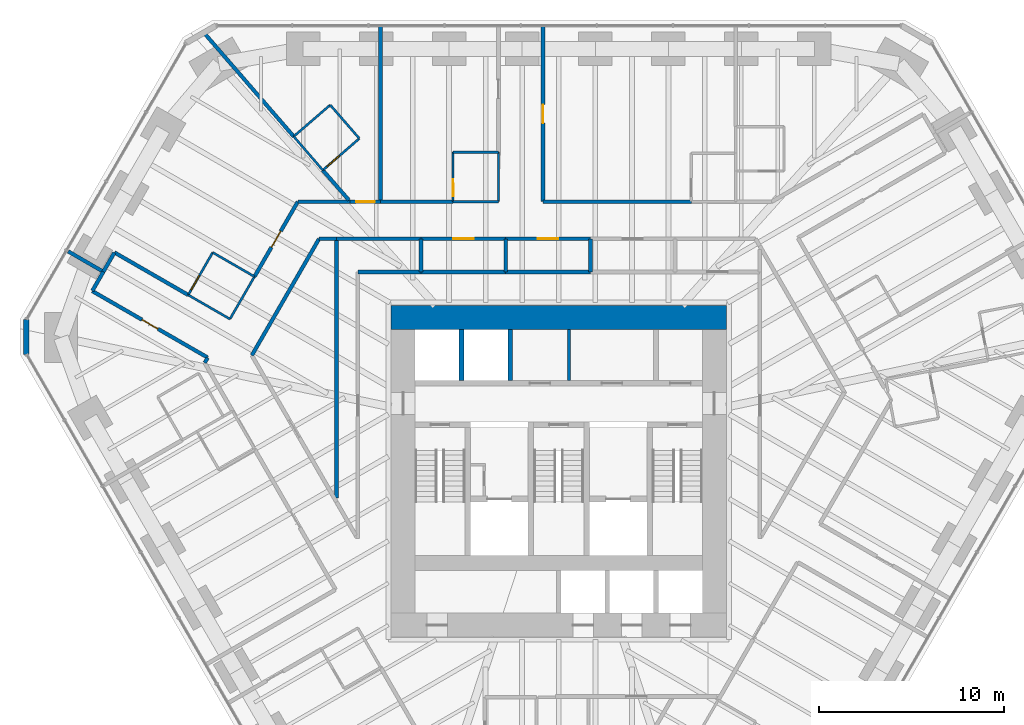
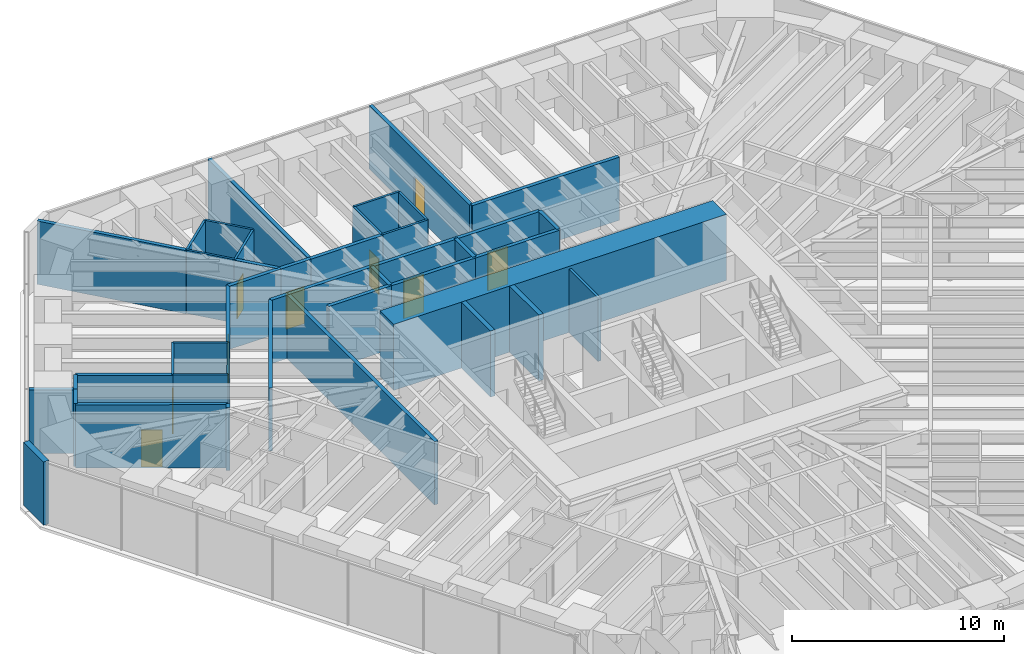
# One storey, part 14 of 17: 44 walls, 9 doors, 9 openings.
"""IFC4 building model written with IfcOpenShell, lengths in metres."""

from ifc_helpers import new_model, si_unit, direction, frame, frame_2d, origin, place, context, subcontext, project, spatial, rectangle, extrude, material, layer, layer_set, type_object, element, fill, save


model = new_model("IFC4")

# Units and contexts
model_context = context("Model", 3, precision=1e-05, world=origin(), true_north=direction((0.0, 1.0)))
body_context = subcontext(model_context, "Body", "Model", "MODEL_VIEW")
ifc_project = project(units=[si_unit("LENGTHUNIT", "METRE"), si_unit("AREAUNIT", "SQUARE_METRE"), si_unit("VOLUMEUNIT", "CUBIC_METRE"), si_unit("PLANEANGLEUNIT", "RADIAN"), si_unit("MASSUNIT", "GRAM", prefix="KILO")], contexts=[model_context])

# Site, building, storey
site_placement = place(None, origin())
site = spatial("IfcSite", under=ifc_project, at=site_placement, CompositionType="ELEMENT")
building_placement = place(site_placement, origin())
building = spatial("IfcBuilding", under=site, at=building_placement, Name="Sandreach Pilgrim Tower", CompositionType="ELEMENT")
storey_placement = place(building_placement, frame((0.0, 0.0, 138.60009765625)))
storey = spatial("IfcBuildingStorey", under=building, at=storey_placement, Name="L34", CompositionType="ELEMENT", Elevation=138.60009765625)

# Walls
ifc_material_1 = material(Name="Gypsum board on steel studs", Category="steel")
ifc_layer_1 = layer(ifc_material_1, 0.14990234375)
ifc_layer_set_1 = layer_set([ifc_layer_1], Name="Back of house wall 150")
wall_type_1 = type_object("IfcWallType", Name="Back of house wall 150", PredefinedType="PARTITIONING", material=ifc_layer_set_1)
wall_1_placement = place(storey_placement, frame((0.550048828125, 3.35009765625, 0.0), z_axis=(0.0, 0.0, 1.0), x_axis=(0.0, 1.0, 0.0)))
element("IfcWall", 1, at=wall_1_placement, inside=storey, type_object=wall_type_1, Name="Core room partition L34 1", PredefinedType="PARTITIONING", context=body_context, shape_type="SweptSolid", body=[
    extrude(rectangle(XDim=2.75, YDim=0.14990234375, at=frame_2d((1.375, 0.0))), origin(), (0.0, 0.0, 1.0), 3.639892578125),
])
ifc_material_2 = material(Name="Moisture-resistant gypsum board on steel studs", Category="steel")
ifc_layer_2 = layer(ifc_material_2, 0.1201171875)
ifc_layer_set_2 = layer_set([ifc_layer_2], Name="Bathroom partition 120")
wall_type_2 = type_object("IfcWallType", Name="Bathroom partition 120", PredefinedType="PARTITIONING", material=ifc_layer_set_2)
wall_2_placement = place(storey_placement, frame((-19.991455078125, 7.95751953125, 0.0), z_axis=(0.0, 0.0, 1.0), x_axis=(0.866404475641, -0.499342852747, 0.0)))
element("IfcWall", 2, at=wall_2_placement, inside=storey, type_object=wall_type_2, Name="Bathroom partition L34-009", PredefinedType="PARTITIONING", context=body_context, shape_type="SweptSolid", body=[
    extrude(rectangle(XDim=2.5986328125, YDim=0.1201171875, at=frame_2d((1.29931640625, 0.0))), origin(), (0.0, 0.0, 1.0), 3.639892578125),
])

# Wall, opening, door
wall_3_placement = place(storey_placement, frame((-18.669921875, 10.25, 0.0), z_axis=(0.0, 0.0, 1.0), x_axis=(-0.499407914056, -0.866366975004, 0.0)))
wall_3 = element("IfcWall", 3, at=wall_3_placement, inside=storey, type_object=wall_type_2, Name="Bathroom partition L34-016", PredefinedType="PARTITIONING", context=body_context, shape_type="SweptSolid", body=[
    extrude(rectangle(XDim=2.643310546875, YDim=0.1201171875, at=frame_2d((1.32177734375, 0.0))), origin(), (0.0, 0.0, 1.0), 3.639892578125),
])
opening_1_placement = place(wall_3_placement, frame((1.443115234375, 0.0, 0.0)))
opening_1 = element("IfcOpeningElement", 4, at=opening_1_placement, cuts=wall_3, Name="Opening D09-15B", PredefinedType="OPENING", context=body_context, shape_type="SweptSolid", body=[
    extrude(rectangle(XDim=0.89990234375, YDim=2.030029296875, at=frame_2d((0.449951171875, 1.01513671875))), frame((0.0, 0.06005859375, 0.0), z_axis=(0.0, -1.0, 0.0), x_axis=(1.0, 0.0, 0.0)), (0.0, 0.0, 1.0), 0.1201171875),
])
ifc_material_3 = material(Name="Timber door, steel frame", Category="steel")
door_type_1 = type_object("IfcDoorType", Name="Bathroom door", OperationType="SINGLE_SWING_LEFT", PredefinedType="DOOR", material=ifc_material_3)
door_1_placement = place(opening_1_placement, origin())
door_1 = element("IfcDoor", 5, at=door_1_placement, inside=storey, type_object=door_type_1, Name="Door 3415B", OperationType="SINGLE_SWING_RIGHT", OverallHeight=2.030029296875, OverallWidth=0.89990234375, PredefinedType="DOOR", context=body_context, shape_type="SweptSolid", body=[
    extrude(rectangle(XDim=0.89990234375, YDim=2.030029296875, at=frame_2d((0.449951171875, 1.01513671875))), frame((0.0, 0.02490234375, 0.0), z_axis=(0.0, -1.0, 0.0), x_axis=(1.0, 0.0, 0.0)), (0.0, 0.0, 1.0), 0.050048828125),
])
fill(opening_1, door_1)

# Walls
wall_4_placement = place(storey_placement, frame((-17.739990234375, 6.659912109375, 0.0), z_axis=(0.0, 0.0, 1.0), x_axis=(0.500519174073, 0.865725450929, 0.0)))
element("IfcWall", 6, at=wall_4_placement, inside=storey, type_object=wall_type_2, Name="Bathroom partition L34-021", PredefinedType="PARTITIONING", context=body_context, shape_type="SweptSolid", body=[
    extrude(rectangle(XDim=2.643310546875, YDim=0.1201171875, at=frame_2d((1.32177734375, 0.0))), origin(), (0.0, 0.0, 1.0), 3.639892578125),
])
wall_5_placement = place(storey_placement, frame((-16.419921875, 8.949951171875, 0.0), z_axis=(0.0, 0.0, 1.0), x_axis=(-0.865856933682, 0.500291685314, 0.0)))
element("IfcWall", 7, at=wall_5_placement, inside=storey, type_object=wall_type_2, Name="Bathroom partition L34-024", PredefinedType="PARTITIONING", context=body_context, shape_type="SweptSolid", body=[
    extrude(rectangle(XDim=2.5986328125, YDim=0.1201171875, at=frame_2d((1.29931640625, 0.0))), origin(), (0.0, 0.0, 1.0), 3.639892578125),
])
wall_6_placement = place(storey_placement, frame((-14.300048828125, 16.510009765625, 0.0), z_axis=(0.0, 0.0, 1.0), x_axis=(0.653188728136, -0.757195143563, 0.0)))
element("IfcWall", 8, at=wall_6_placement, inside=storey, type_object=wall_type_2, Name="Bathroom partition L34-027", PredefinedType="PARTITIONING", context=body_context, shape_type="SweptSolid", body=[
    extrude(rectangle(XDim=2.40380859375, YDim=0.1201171875, at=frame_2d((1.201904296875, 0.0))), origin(), (0.0, 0.0, 1.0), 3.639892578125),
])

# Wall, opening, door
wall_7_placement = place(storey_placement, frame((-12.72998046875, 14.68994140625, 0.0), z_axis=(0.0, 0.0, 1.0), x_axis=(0.755185511235, 0.655511131576, 0.0)))
wall_7 = element("IfcWall", 9, at=wall_7_placement, inside=storey, type_object=wall_type_2, Name="Bathroom partition L34-033", PredefinedType="PARTITIONING", context=body_context, shape_type="SweptSolid", body=[
    extrude(rectangle(XDim=2.608642578125, YDim=0.1201171875, at=frame_2d((1.30419921875, 0.0))), origin(), (0.0, 0.0, 1.0), 3.639892578125),
])
opening_2_placement = place(wall_7_placement, frame((0.300048828125, 0.0, 0.0)))
opening_2 = element("IfcOpeningElement", 10, at=opening_2_placement, cuts=wall_7, Name="Opening D09-01B", PredefinedType="OPENING", context=body_context, shape_type="SweptSolid", body=[
    extrude(rectangle(XDim=0.89990234375, YDim=2.030029296875, at=frame_2d((0.449951171875, 1.01513671875))), frame((0.0, 0.06005859375, 0.0), z_axis=(0.0, -1.0, 0.0), x_axis=(1.0, 0.0, 0.0)), (0.0, 0.0, 1.0), 0.1201171875),
])
door_2_placement = place(opening_2_placement, origin())
door_2 = element("IfcDoor", 11, at=door_2_placement, inside=storey, type_object=door_type_1, Name="Door 3401B", OperationType="SINGLE_SWING_LEFT", OverallHeight=2.030029296875, OverallWidth=0.89990234375, PredefinedType="DOOR", context=body_context, shape_type="SweptSolid", body=[
    extrude(rectangle(XDim=0.89990234375, YDim=2.030029296875, at=frame_2d((0.449951171875, 1.01513671875))), frame((0.0, 0.02490234375, 0.0), z_axis=(0.0, -1.0, 0.0), x_axis=(1.0, 0.0, 0.0)), (0.0, 0.0, 1.0), 0.050048828125),
])
fill(opening_2, door_2)

# Walls
wall_8_placement = place(storey_placement, frame((-12.330078125, 18.2099609375, 0.0), z_axis=(0.0, 0.0, 1.0), x_axis=(-0.757086659925, -0.653314464377, 0.0)))
element("IfcWall", 12, at=wall_8_placement, inside=storey, type_object=wall_type_2, Name="Bathroom partition L34-034", PredefinedType="PARTITIONING", context=body_context, shape_type="SweptSolid", body=[
    extrude(rectangle(XDim=2.60205078125, YDim=0.1201171875, at=frame_2d((1.301025390625, 0.0))), origin(), (0.0, 0.0, 1.0), 3.639892578125),
])
wall_9_placement = place(storey_placement, frame((-10.760009765625, 16.39990234375, 0.0), z_axis=(0.0, 0.0, 1.0), x_axis=(-0.655252439976, 0.755409981338, 0.0)))
element("IfcWall", 13, at=wall_9_placement, inside=storey, type_object=wall_type_2, Name="Bathroom partition L34-044", PredefinedType="PARTITIONING", context=body_context, shape_type="SweptSolid", body=[
    extrude(rectangle(XDim=2.396240234375, YDim=0.1201171875, at=frame_2d((1.1982421875, 0.0))), origin(), (0.0, 0.0, 1.0), 3.639892578125),
])

# Wall, opening, door
wall_10_placement = place(storey_placement, frame((-5.7099609375, 15.659912109375, 0.0), z_axis=(0.0, 0.0, 1.0), x_axis=(0.003749059241, -0.999992972253, 0.0)))
wall_10 = element("IfcWall", 14, at=wall_10_placement, inside=storey, type_object=wall_type_2, Name="Bathroom partition L34-059", PredefinedType="PARTITIONING", context=body_context, shape_type="SweptSolid", body=[
    extrude(rectangle(XDim=2.669921875, YDim=0.1201171875, at=frame_2d((1.3349609375, 0.0))), origin(), (0.0, 0.0, 1.0), 3.639892578125),
])
opening_3_placement = place(wall_10_placement, frame((1.469970703125, 0.0, 0.0)))
opening_3 = element("IfcOpeningElement", 15, at=opening_3_placement, cuts=wall_10, Name="Opening D09-02B", PredefinedType="OPENING", context=body_context, shape_type="SweptSolid", body=[
    extrude(rectangle(XDim=0.89990234375, YDim=2.030029296875, at=frame_2d((0.449951171875, 1.01513671875))), frame((0.0, 0.06005859375, 0.0), z_axis=(0.0, -1.0, 0.0), x_axis=(1.0, 0.0, 0.0)), (0.0, 0.0, 1.0), 0.1201171875),
])
door_3_placement = place(opening_3_placement, origin())
door_3 = element("IfcDoor", 16, at=door_3_placement, inside=storey, type_object=door_type_1, Name="Door 3402B", OperationType="SINGLE_SWING_RIGHT", OverallHeight=2.030029296875, OverallWidth=0.89990234375, PredefinedType="DOOR", context=body_context, shape_type="SweptSolid", body=[
    extrude(rectangle(XDim=0.89990234375, YDim=2.030029296875, at=frame_2d((0.449951171875, 1.01513671875))), frame((0.0, 0.02490234375, 0.0), z_axis=(0.0, -1.0, 0.0), x_axis=(1.0, 0.0, 0.0)), (0.0, 0.0, 1.0), 0.050048828125),
])
fill(opening_3, door_3)

# Walls
wall_11_placement = place(storey_placement, frame((-3.25, 12.989990234375, 0.0), z_axis=(0.0, 0.0, 1.0), x_axis=(-1.0, 0.0, 0.0)))
element("IfcWall", 17, at=wall_11_placement, inside=storey, type_object=wall_type_2, Name="Bathroom partition L34-065", PredefinedType="PARTITIONING", context=body_context, shape_type="SweptSolid", body=[
    extrude(rectangle(XDim=2.449951171875, YDim=0.1201171875, at=frame_2d((1.22509765625, 0.0))), origin(), (0.0, 0.0, 1.0), 3.639892578125),
])
wall_12_placement = place(storey_placement, frame((-3.25, 15.659912109375, 0.0), z_axis=(0.0, 0.0, 1.0), x_axis=(-1.0, 0.0, 0.0)))
element("IfcWall", 18, at=wall_12_placement, inside=storey, type_object=wall_type_2, Name="Bathroom partition L34-066", PredefinedType="PARTITIONING", context=body_context, shape_type="SweptSolid", body=[
    extrude(rectangle(XDim=2.4599609375, YDim=0.1201171875, at=frame_2d((1.22998046875, 0.0))), origin(), (0.0, 0.0, 1.0), 3.639892578125),
])
wall_13_placement = place(storey_placement, frame((-3.25, 15.659912109375, 0.0), z_axis=(0.0, 0.0, 1.0), x_axis=(0.0, -1.0, 0.0)))
element("IfcWall", 19, at=wall_13_placement, inside=storey, type_object=wall_type_2, Name="Bathroom partition L34-067", PredefinedType="PARTITIONING", context=body_context, shape_type="SweptSolid", body=[
    extrude(rectangle(XDim=2.669921875, YDim=0.1201171875, at=frame_2d((1.3349609375, 0.0))), origin(), (0.0, 0.0, 1.0), 3.639892578125),
])
ifc_material_4 = material(Name="Concrete 10000 psi", Category="concrete")
ifc_layer_3 = layer(ifc_material_4, 1.300048828125)
ifc_layer_set_3 = layer_set([ifc_layer_3], Name="Core wall 1300")
wall_type_3 = type_object("IfcWallType", Name="Core wall 1300", PredefinedType="SHEAR", material=ifc_layer_set_3)
wall_14_placement = place(storey_placement, frame((-9.050048828125, 6.75, 0.0), z_axis=(0.0, 0.0, 1.0), x_axis=(1.0, 0.0, 0.0)))
element("IfcWall", 20, at=wall_14_placement, inside=storey, type_object=wall_type_3, Name="Core wall N L34", PredefinedType="SHEAR", context=body_context, shape_type="SweptSolid", body=[
    extrude(rectangle(XDim=18.10009765625, YDim=1.300048828125, at=frame_2d((9.050048828125, 0.0))), origin(), (0.0, 0.0, 1.0), 3.7998046875),
])

# Wall, opening, door
ifc_material_5 = material(Name="Gypsum board on steel studs, two layers each side", Category="steel")
ifc_layer_4 = layer(ifc_material_5, 0.199951171875)
ifc_layer_set_4 = layer_set([ifc_layer_4], Name="Corridor wall 200")
wall_type_4 = type_object("IfcWallType", Name="Corridor wall 200", PredefinedType="PARTITIONING", material=ifc_layer_set_4)
wall_15_placement = place(storey_placement, frame((-25.169921875, 8.169921875, 0.0), z_axis=(0.0, 0.0, 1.0), x_axis=(0.866448885678, -0.499265789443, 0.0)))
wall_15 = element("IfcWall", 21, at=wall_15_placement, inside=storey, type_object=wall_type_4, Name="Corridor wall L34-002", PredefinedType="PARTITIONING", context=body_context, shape_type="SweptSolid", body=[
    extrude(rectangle(XDim=7.190185546875, YDim=0.199951171875, at=frame_2d((3.59521484375, 0.0))), origin(), (0.0, 0.0, 1.0), 3.639892578125),
])
opening_4_placement = place(wall_15_placement, frame((3.09521484375, 0.0, 0.0)))
opening_4 = element("IfcOpeningElement", 22, at=opening_4_placement, cuts=wall_15, Name="Opening D10-14", PredefinedType="OPENING", context=body_context, shape_type="SweptSolid", body=[
    extrude(rectangle(XDim=1.0, YDim=2.1298828125, at=frame_2d((0.5, 1.06494140625))), frame((0.0, 0.10009765625, 0.0), z_axis=(0.0, -1.0, 0.0), x_axis=(1.0, 0.0, 0.0)), (0.0, 0.0, 1.0), 0.199951171875),
])
ifc_material_6 = material(Name="Steel door and frame", Category="steel")
door_type_2 = type_object("IfcDoorType", Name="Guest room entry door", OperationType="SINGLE_SWING_LEFT", PredefinedType="DOOR", material=ifc_material_6)
door_4_placement = place(opening_4_placement, origin())
door_4 = element("IfcDoor", 23, at=door_4_placement, inside=storey, type_object=door_type_2, Name="Door 3414", OperationType="SINGLE_SWING_LEFT", OverallHeight=2.1298828125, OverallWidth=1.0, PredefinedType="DOOR", context=body_context, shape_type="SweptSolid", body=[
    extrude(rectangle(XDim=1.0, YDim=2.1298828125, at=frame_2d((0.5, 1.06494140625))), frame((0.0, 0.02490234375, 0.0), z_axis=(0.0, -1.0, 0.0), x_axis=(1.0, 0.0, 0.0)), (0.0, 0.0, 1.0), 0.050048828125),
])
fill(opening_4, door_4)

# Walls
wall_16_placement = place(storey_placement, frame((-25.16259765625, 8.18310546875, 0.0), z_axis=(0.0, 0.0, 1.0), x_axis=(0.499793761865, 0.866144442689, 0.0)))
element("IfcWall", 24, at=wall_16_placement, inside=storey, type_object=wall_type_4, Name="Corridor wall L34-003", PredefinedType="PARTITIONING", context=body_context, shape_type="SweptSolid", body=[
    extrude(rectangle(XDim=1.185546875, YDim=0.199951171875, at=frame_2d((0.5927734375, 0.0))), origin(), (0.0, 0.0, 1.0), 3.639892578125),
])
wall_17_placement = place(storey_placement, frame((-24.570068359375, 9.2099609375, 0.0), z_axis=(0.0, 0.0, 1.0), x_axis=(0.499734288277, 0.866178758179, 0.0)))
element("IfcWall", 25, at=wall_17_placement, inside=storey, type_object=wall_type_4, Name="Corridor wall L34-004", PredefinedType="PARTITIONING", context=body_context, shape_type="SweptSolid", body=[
    extrude(rectangle(XDim=1.190673828125, YDim=0.199951171875, at=frame_2d((0.59521484375, 0.0))), origin(), (0.0, 0.0, 1.0), 3.639892578125),
])
wall_18_placement = place(storey_placement, frame((-23.969970703125, 10.25, 0.0), z_axis=(0.0, 0.0, 1.0), x_axis=(0.86645101645, -0.499262091585, 0.0)))
element("IfcWall", 26, at=wall_18_placement, inside=storey, type_object=wall_type_4, Name="Corridor wall L34-006", PredefinedType="PARTITIONING", context=body_context, shape_type="SweptSolid", body=[
    extrude(rectangle(XDim=4.591796875, YDim=0.199951171875, at=frame_2d((2.2958984375, 0.0))), origin(), (0.0, 0.0, 1.0), 3.639892578125),
])
wall_19_placement = place(storey_placement, frame((-18.945068359375, 4.5712890625, 0.0), z_axis=(0.0, 0.0, 1.0), x_axis=(-0.496223092577, -0.868195048588, 0.0)))
element("IfcWall", 27, at=wall_19_placement, inside=storey, type_object=wall_type_4, Name="Corridor wall L34-015", PredefinedType="PARTITIONING", context=body_context, shape_type="SweptSolid", body=[
    extrude(rectangle(XDim=0.3125, YDim=0.199951171875, at=frame_2d((0.15625, 0.0))), origin(), (0.0, 0.0, 1.0), 3.639892578125),
])
wall_20_placement = place(storey_placement, frame((-16.56005859375, 4.699951171875, 0.0), z_axis=(0.0, 0.0, 1.0), x_axis=(0.4998524389, 0.866110581465, 0.0)))
element("IfcWall", 28, at=wall_20_placement, inside=storey, type_object=wall_type_4, Name="Corridor wall L34-023", PredefinedType="PARTITIONING", context=body_context, shape_type="SweptSolid", body=[
    extrude(rectangle(XDim=7.262451171875, YDim=0.199951171875, at=frame_2d((3.63134765625, 0.0))), origin(), (0.0, 0.0, 1.0), 3.639892578125),
])

# Wall, opening, door
wall_21_placement = place(storey_placement, frame((-16.4169921875, 8.9482421875, 0.0), z_axis=(0.0, 0.0, 1.0), x_axis=(0.500547653499, 0.865708984923, 0.0)))
wall_21 = element("IfcWall", 29, at=wall_21_placement, inside=storey, type_object=wall_type_4, Name="Corridor wall L34-025", PredefinedType="PARTITIONING", context=body_context, shape_type="SweptSolid", body=[
    extrude(rectangle(XDim=4.668701171875, YDim=0.199951171875, at=frame_2d((2.33447265625, 0.0))), origin(), (0.0, 0.0, 1.0), 3.639892578125),
])
opening_5_placement = place(wall_21_placement, frame((1.834228515625, 0.0, 0.0)))
opening_5 = element("IfcOpeningElement", 30, at=opening_5_placement, cuts=wall_21, Name="Opening D10-15", PredefinedType="OPENING", context=body_context, shape_type="SweptSolid", body=[
    extrude(rectangle(XDim=1.0, YDim=2.1298828125, at=frame_2d((0.5, 1.06494140625))), frame((0.0, 0.10009765625, 0.0), z_axis=(0.0, -1.0, 0.0), x_axis=(1.0, 0.0, 0.0)), (0.0, 0.0, 1.0), 0.199951171875),
])
door_5_placement = place(opening_5_placement, origin())
door_5 = element("IfcDoor", 31, at=door_5_placement, inside=storey, type_object=door_type_2, Name="Door 3415", OperationType="SINGLE_SWING_LEFT", OverallHeight=2.1298828125, OverallWidth=1.0, PredefinedType="DOOR", context=body_context, shape_type="SweptSolid", body=[
    extrude(rectangle(XDim=1.0, YDim=2.1298828125, at=frame_2d((0.5, 1.06494140625))), frame((0.0, 0.02490234375, 0.0), z_axis=(0.0, -1.0, 0.0), x_axis=(1.0, 0.0, 0.0)), (0.0, 0.0, 1.0), 0.050048828125),
])
fill(opening_5, door_5)

# Walls
wall_22_placement = place(storey_placement, frame((-12.929931640625, 10.989990234375, 0.0), z_axis=(0.0, 0.0, 1.0), x_axis=(1.0, 0.0, 0.0)))
element("IfcWall", 32, at=wall_22_placement, inside=storey, type_object=wall_type_4, Name="Corridor wall L34-029", PredefinedType="PARTITIONING", context=body_context, shape_type="SweptSolid", body=[
    extrude(rectangle(XDim=0.93994140625, YDim=0.199951171875, at=frame_2d((0.469970703125, 0.0))), origin(), (0.0, 0.0, 1.0), 3.639892578125),
])
wall_23_placement = place(storey_placement, frame((-11.989990234375, 10.989990234375, 0.0), z_axis=(0.0, 0.0, 1.0), x_axis=(1.0, 0.0, 0.0)))
element("IfcWall", 33, at=wall_23_placement, inside=storey, type_object=wall_type_4, Name="Corridor wall L34-038", PredefinedType="PARTITIONING", context=body_context, shape_type="SweptSolid", body=[
    extrude(rectangle(XDim=4.56005859375, YDim=0.199951171875, at=frame_2d((2.280029296875, 0.0))), origin(), (0.0, 0.0, 1.0), 3.639892578125),
])
wall_24_placement = place(storey_placement, frame((-11.25, 12.989990234375, 0.0), z_axis=(0.0, 0.0, 1.0), x_axis=(-1.0, 0.0, 0.0)))
element("IfcWall", 34, at=wall_24_placement, inside=storey, type_object=wall_type_4, Name="Corridor wall L34-040", PredefinedType="PARTITIONING", context=body_context, shape_type="SweptSolid", body=[
    extrude(rectangle(XDim=2.830078125, YDim=0.199951171875, at=frame_2d((1.4150390625, 0.0))), origin(), (0.0, 0.0, 1.0), 3.639892578125),
])

# Wall, opening, door
wall_25_placement = place(storey_placement, frame((-9.6201171875, 12.989990234375, 0.0), z_axis=(0.0, 0.0, 1.0), x_axis=(-1.0, 0.0, 0.0)))
wall_25 = element("IfcWall", 35, at=wall_25_placement, inside=storey, type_object=wall_type_4, Name="Corridor wall L34-046", PredefinedType="PARTITIONING", context=body_context, shape_type="SweptSolid", body=[
    extrude(rectangle(XDim=1.6298828125, YDim=0.199951171875, at=frame_2d((0.81494140625, 0.0))), origin(), (0.0, 0.0, 1.0), 3.639892578125),
])
opening_6_placement = place(wall_25_placement, frame((0.31494140625, 0.0, 0.0)))
opening_6 = element("IfcOpeningElement", 36, at=opening_6_placement, cuts=wall_25, Name="Opening D10-01", PredefinedType="OPENING", context=body_context, shape_type="SweptSolid", body=[
    extrude(rectangle(XDim=1.0, YDim=2.1298828125, at=frame_2d((0.5, 1.06494140625))), frame((0.0, 0.10009765625, 0.0), z_axis=(0.0, -1.0, 0.0), x_axis=(1.0, 0.0, 0.0)), (0.0, 0.0, 1.0), 0.199951171875),
])
door_6_placement = place(opening_6_placement, origin())
door_6 = element("IfcDoor", 37, at=door_6_placement, inside=storey, type_object=door_type_2, Name="Door 3401", OperationType="SINGLE_SWING_LEFT", OverallHeight=2.1298828125, OverallWidth=1.0, PredefinedType="DOOR", context=body_context, shape_type="SweptSolid", body=[
    extrude(rectangle(XDim=1.0, YDim=2.1298828125, at=frame_2d((0.5, 1.06494140625))), frame((0.0, 0.02490234375, 0.0), z_axis=(0.0, -1.0, 0.0), x_axis=(1.0, 0.0, 0.0)), (0.0, 0.0, 1.0), 0.050048828125),
])
fill(opening_6, door_6)

# Wall
wall_26_placement = place(storey_placement, frame((-7.429931640625, 9.199951171875, 0.0), z_axis=(0.0, 0.0, 1.0), x_axis=(-1.0, 0.0, 0.0)))
element("IfcWall", 38, at=wall_26_placement, inside=storey, type_object=wall_type_4, Name="Corridor wall L34-052", PredefinedType="PARTITIONING", context=body_context, shape_type="SweptSolid", body=[
    extrude(rectangle(XDim=3.41015625, YDim=0.199951171875, at=frame_2d((1.705078125, 0.0))), origin(), (0.0, 0.0, 1.0), 3.639892578125),
])

# Wall, opening, door
wall_27_placement = place(storey_placement, frame((-7.429931640625, 10.989990234375, 0.0), z_axis=(0.0, 0.0, 1.0), x_axis=(1.0, 0.0, 0.0)))
wall_27 = element("IfcWall", 39, at=wall_27_placement, inside=storey, type_object=wall_type_4, Name="Corridor wall L34-054", PredefinedType="PARTITIONING", context=body_context, shape_type="SweptSolid", body=[
    extrude(rectangle(XDim=4.56982421875, YDim=0.199951171875, at=frame_2d((2.284912109375, 0.0))), origin(), (0.0, 0.0, 1.0), 3.639892578125),
])
opening_7_placement = place(wall_27_placement, frame((1.735107421875, 0.0, 0.0)))
opening_7 = element("IfcOpeningElement", 40, at=opening_7_placement, cuts=wall_27, Name="Opening D11H-M03", PredefinedType="OPENING", context=body_context, shape_type="SweptSolid", body=[
    extrude(rectangle(XDim=1.10009765625, YDim=2.199951171875, at=frame_2d((0.550048828125, 1.10009765625))), frame((0.0, 0.10009765625, 0.0), z_axis=(0.0, -1.0, 0.0), x_axis=(1.0, 0.0, 0.0)), (0.0, 0.0, 1.0), 0.199951171875),
])
ifc_material_7 = material(Name="Steel door and frame", Category="steel")
door_type_3 = type_object("IfcDoorType", Name="Back of house door", OperationType="SINGLE_SWING_LEFT", PredefinedType="DOOR", material=ifc_material_7)
door_7_placement = place(opening_7_placement, origin())
door_7 = element("IfcDoor", 41, at=door_7_placement, inside=storey, type_object=door_type_3, Name="Door 34M03", OperationType="SINGLE_SWING_LEFT", OverallHeight=2.199951171875, OverallWidth=1.10009765625, PredefinedType="DOOR", context=body_context, shape_type="SweptSolid", body=[
    extrude(rectangle(XDim=1.10009765625, YDim=2.199951171875, at=frame_2d((0.550048828125, 1.10009765625))), frame((0.0, 0.02490234375, 0.0), z_axis=(0.0, -1.0, 0.0), x_axis=(1.0, 0.0, 0.0)), (0.0, 0.0, 1.0), 0.050048828125),
])
fill(opening_7, door_7)

# Walls
wall_28_placement = place(storey_placement, frame((-5.699951171875, 12.989990234375, 0.0), z_axis=(0.0, 0.0, 1.0), x_axis=(-1.0, 0.0, 0.0)))
element("IfcWall", 42, at=wall_28_placement, inside=storey, type_object=wall_type_4, Name="Corridor wall L34-060", PredefinedType="PARTITIONING", context=body_context, shape_type="SweptSolid", body=[
    extrude(rectangle(XDim=3.920166015625, YDim=0.199951171875, at=frame_2d((1.9599609375, 0.0))), origin(), (0.0, 0.0, 1.0), 3.639892578125),
])
wall_29_placement = place(storey_placement, frame((-2.860107421875, 9.199951171875, 0.0), z_axis=(0.0, 0.0, 1.0), x_axis=(-1.0, 0.0, 0.0)))
element("IfcWall", 43, at=wall_29_placement, inside=storey, type_object=wall_type_4, Name="Corridor wall L34-069", PredefinedType="PARTITIONING", context=body_context, shape_type="SweptSolid", body=[
    extrude(rectangle(XDim=4.56982421875, YDim=0.199951171875, at=frame_2d((2.284912109375, 0.0))), origin(), (0.0, 0.0, 1.0), 3.639892578125),
])

# Wall, opening, door
wall_30_placement = place(storey_placement, frame((-2.860107421875, 10.989990234375, 0.0), z_axis=(0.0, 0.0, 1.0), x_axis=(1.0, 0.0, 0.0)))
wall_30 = element("IfcWall", 44, at=wall_30_placement, inside=storey, type_object=wall_type_4, Name="Corridor wall L34-071", PredefinedType="PARTITIONING", context=body_context, shape_type="SweptSolid", body=[
    extrude(rectangle(XDim=4.570068359375, YDim=0.199951171875, at=frame_2d((2.28515625, 0.0))), origin(), (0.0, 0.0, 1.0), 3.639892578125),
])
opening_8_placement = place(wall_30_placement, frame((1.735107421875, 0.0, 0.0)))
opening_8 = element("IfcOpeningElement", 45, at=opening_8_placement, cuts=wall_30, Name="Opening D11H-M04", PredefinedType="OPENING", context=body_context, shape_type="SweptSolid", body=[
    extrude(rectangle(XDim=1.10009765625, YDim=2.199951171875, at=frame_2d((0.550048828125, 1.10009765625))), frame((0.0, 0.10009765625, 0.0), z_axis=(0.0, -1.0, 0.0), x_axis=(1.0, 0.0, 0.0)), (0.0, 0.0, 1.0), 0.199951171875),
])
door_8_placement = place(opening_8_placement, origin())
door_8 = element("IfcDoor", 46, at=door_8_placement, inside=storey, type_object=door_type_3, Name="Door 34M04", OperationType="SINGLE_SWING_LEFT", OverallHeight=2.199951171875, OverallWidth=1.10009765625, PredefinedType="DOOR", context=body_context, shape_type="SweptSolid", body=[
    extrude(rectangle(XDim=1.10009765625, YDim=2.199951171875, at=frame_2d((0.550048828125, 1.10009765625))), frame((0.0, 0.02490234375, 0.0), z_axis=(0.0, -1.0, 0.0), x_axis=(1.0, 0.0, 0.0)), (0.0, 0.0, 1.0), 0.050048828125),
])
fill(opening_8, door_8)

wall_31_placement = place(storey_placement, frame((-0.85009765625, 12.989990234375, 0.0), z_axis=(0.0, 0.0, 1.0), x_axis=(0.0, 1.0, 0.0)))
wall_31 = element("IfcWall", 47, at=wall_31_placement, inside=storey, type_object=wall_type_4, Name="Corridor wall L34-075", PredefinedType="PARTITIONING", context=body_context, shape_type="SweptSolid", body=[
    extrude(rectangle(XDim=9.469970703125, YDim=0.199951171875, at=frame_2d((4.73486328125, 0.0))), origin(), (0.0, 0.0, 1.0), 3.639892578125),
])
opening_9_placement = place(wall_31_placement, frame((4.235107421875, 0.0, 0.0)))
opening_9 = element("IfcOpeningElement", 48, at=opening_9_placement, cuts=wall_31, Name="Opening D10-03", PredefinedType="OPENING", context=body_context, shape_type="SweptSolid", body=[
    extrude(rectangle(XDim=1.0, YDim=2.1298828125, at=frame_2d((0.5, 1.06494140625))), frame((0.0, 0.10009765625, 0.0), z_axis=(0.0, -1.0, 0.0), x_axis=(1.0, 0.0, 0.0)), (0.0, 0.0, 1.0), 0.199951171875),
])
door_9_placement = place(opening_9_placement, origin())
door_9 = element("IfcDoor", 49, at=door_9_placement, inside=storey, type_object=door_type_2, Name="Door 3403", OperationType="SINGLE_SWING_LEFT", OverallHeight=2.1298828125, OverallWidth=1.0, PredefinedType="DOOR", context=body_context, shape_type="SweptSolid", body=[
    extrude(rectangle(XDim=1.0, YDim=2.1298828125, at=frame_2d((0.5, 1.06494140625))), frame((0.0, 0.02490234375, 0.0), z_axis=(0.0, -1.0, 0.0), x_axis=(1.0, 0.0, 0.0)), (0.0, 0.0, 1.0), 0.050048828125),
])
fill(opening_9, door_9)

# Walls
wall_32_placement = place(storey_placement, frame((1.7099609375, 9.199951171875, 0.0), z_axis=(0.0, 0.0, 1.0), x_axis=(-1.0, 0.0, 0.0)))
element("IfcWall", 50, at=wall_32_placement, inside=storey, type_object=wall_type_4, Name="Corridor wall L34-080", PredefinedType="PARTITIONING", context=body_context, shape_type="SweptSolid", body=[
    extrude(rectangle(XDim=4.570068359375, YDim=0.199951171875, at=frame_2d((2.28515625, 0.0))), origin(), (0.0, 0.0, 1.0), 3.639892578125),
])
wall_33_placement = place(storey_placement, frame((7.14990234375, 12.989990234375, 0.0), z_axis=(0.0, 0.0, 1.0), x_axis=(-1.0, 0.0, 0.0)))
element("IfcWall", 51, at=wall_33_placement, inside=storey, type_object=wall_type_4, Name="Corridor wall L34-099", PredefinedType="PARTITIONING", context=body_context, shape_type="SweptSolid", body=[
    extrude(rectangle(XDim=7.989990234375, YDim=0.199951171875, at=frame_2d((3.9951171875, 0.0))), origin(), (0.0, 0.0, 1.0), 3.639892578125),
])
ifc_material_8 = material(Name="Double steel stud acoustic wall, gypsum board", Category="steel")
ifc_layer_5 = layer(ifc_material_8, 0.199951171875)
ifc_layer_set_5 = layer_set([ifc_layer_5], Name="Party wall 200")
wall_type_5 = type_object("IfcWallType", Name="Party wall 200", PredefinedType="PARTITIONING", material=ifc_layer_set_5)
wall_34_placement = place(storey_placement, frame((-26.46630859375, 10.309814453125, 0.0), z_axis=(0.0, 0.0, 1.0), x_axis=(0.865037029405, -0.501708020425, 0.0)))
element("IfcWall", 52, at=wall_34_placement, inside=storey, type_object=wall_type_5, Name="Party wall L34-001", PredefinedType="PARTITIONING", context=body_context, shape_type="SweptSolid", body=[
    extrude(rectangle(XDim=2.17724609375, YDim=0.199951171875, at=frame_2d((1.088623046875, 0.0))), origin(), (0.0, 0.0, 1.0), 3.639892578125),
])
wall_35_placement = place(storey_placement, frame((-19.160400390625, 22.127197265625, 0.0), z_axis=(0.0, 0.0, 1.0), x_axis=(0.654324699903, -0.756213717871, 0.0)))
element("IfcWall", 53, at=wall_35_placement, inside=storey, type_object=wall_type_5, Name="Party wall L34-013", PredefinedType="PARTITIONING", context=body_context, shape_type="SweptSolid", body=[
    extrude(rectangle(XDim=7.427978515625, YDim=0.199951171875, at=frame_2d((3.7138671875, 0.0))), origin(), (0.0, 0.0, 1.0), 3.639892578125),
])
wall_36_placement = place(storey_placement, frame((-12.72998046875, 14.68994140625, 0.0), z_axis=(0.0, 0.0, 1.0), x_axis=(0.656624063312, -0.754218031792, 0.0)))
element("IfcWall", 54, at=wall_36_placement, inside=storey, type_object=wall_type_5, Name="Party wall L34-032", PredefinedType="PARTITIONING", context=body_context, shape_type="SweptSolid", body=[
    extrude(rectangle(XDim=2.143798828125, YDim=0.199951171875, at=frame_2d((1.07177734375, 0.0))), origin(), (0.0, 0.0, 1.0), 3.639892578125),
])
wall_37_placement = place(storey_placement, frame((-11.989990234375, 10.97998046875, 0.0), z_axis=(0.0, 0.0, 1.0), x_axis=(0.0, -1.0, 0.0)))
element("IfcWall", 55, at=wall_37_placement, inside=storey, type_object=wall_type_5, Name="Party wall L34-037", PredefinedType="PARTITIONING", context=body_context, shape_type="SweptSolid", body=[
    extrude(rectangle(XDim=13.97998046875, YDim=0.199951171875, at=frame_2d((6.989990234375, 0.0))), origin(), (0.0, 0.0, 1.0), 3.639892578125),
])
wall_38_placement = place(storey_placement, frame((-9.6201171875, 22.4599609375, 0.0), z_axis=(0.0, 0.0, 1.0), x_axis=(0.0, -1.0, 0.0)))
element("IfcWall", 56, at=wall_38_placement, inside=storey, type_object=wall_type_5, Name="Party wall L34-047", PredefinedType="PARTITIONING", context=body_context, shape_type="SweptSolid", body=[
    extrude(rectangle(XDim=9.455078125, YDim=0.199951171875, at=frame_2d((4.7275390625, 0.0))), origin(), (0.0, 0.0, 1.0), 3.639892578125),
])
wall_39_placement = place(storey_placement, frame((-7.429931640625, 10.97509765625, 0.0), z_axis=(0.0, 0.0, 1.0), x_axis=(0.0, -1.0, 0.0)))
element("IfcWall", 57, at=wall_39_placement, inside=storey, type_object=wall_type_5, Name="Party wall L34-053", PredefinedType="PARTITIONING", context=body_context, shape_type="SweptSolid", body=[
    extrude(rectangle(XDim=1.76513671875, YDim=0.199951171875, at=frame_2d((0.882568359375, 0.0))), origin(), (0.0, 0.0, 1.0), 3.639892578125),
])
for number, where, z_axis, x_axis, name in (
    (58, (-2.860107421875, 10.97998046875, 0.0), (0.0, 0.0, 1.0), (0.0, -1.0, 0.0), "Party wall L34-070"),
    (59, (1.7099609375, 10.97998046875, 0.0), (0.0, 0.0, 1.0), (0.0, -1.0, 0.0), "Party wall L34-081"),
):
    element("IfcWall", number, at=place(storey_placement, frame(where, z_axis=z_axis, x_axis=x_axis)), inside=storey, type_object=wall_type_5, Name=name, PredefinedType="PARTITIONING", context=body_context, shape_type="SweptSolid", body=[
        extrude(rectangle(XDim=1.77001953125, YDim=0.199951171875, at=frame_2d((0.885009765625, 0.0))), origin(), (0.0, 0.0, 1.0), 3.639892578125),
    ])
ifc_material_9 = material(Name="Gypsum shaft wall on steel studs, two layers of shaft liner board", Category="steel")
ifc_layer_6 = layer(ifc_material_9, 0.25)
ifc_layer_set_6 = layer_set([ifc_layer_6], Name="Shaft partition 250")
wall_type_6 = type_object("IfcWallType", Name="Shaft partition 250", PredefinedType="PARTITIONING", material=ifc_layer_set_6)
for number, where, z_axis, x_axis, name in (
    (60, (-5.25, 3.35009765625, 0.0), (0.0, 0.0, 1.0), (0.0, 1.0, 0.0), "Shaft partition NS0 L34"),
    (61, (-2.625, 3.35009765625, 0.0), (0.0, 0.0, 1.0), (0.0, 1.0, 0.0), "Shaft partition NS1 L34"),
):
    element("IfcWall", number, at=place(storey_placement, frame(where, z_axis=z_axis, x_axis=x_axis)), inside=storey, type_object=wall_type_6, Name=name, PredefinedType="PARTITIONING", context=body_context, shape_type="SweptSolid", body=[
        extrude(rectangle(XDim=2.75, YDim=0.25, at=frame_2d((1.375, 0.0))), origin(), (0.0, 0.0, 1.0), 3.7998046875),
    ])
ifc_material_10 = material(Name="Terracotta rainscreen on concrete", Category="masonry")
ifc_layer_7 = layer(ifc_material_10, 0.300048828125)
ifc_layer_set_7 = layer_set([ifc_layer_7], Name="Terracotta chamfer pier")
wall_type_7 = type_object("IfcWallType", Name="Terracotta chamfer pier", PredefinedType="SOLIDWALL", material=ifc_layer_set_7)
wall_40_placement = place(storey_placement, frame((-28.720947265625, 4.758544921875, 0.0), z_axis=(0.0, 0.0, 1.0), x_axis=(0.0, 1.0, 0.0)))
element("IfcWall", 62, at=wall_40_placement, inside=storey, type_object=wall_type_7, Name="Chamfer pier L34 SW", PredefinedType="SOLIDWALL", context=body_context, shape_type="SweptSolid", body=[
    extrude(rectangle(XDim=1.8798828125, YDim=0.300048828125, at=frame_2d((0.93994140625, 0.0))), origin(), (0.0, 0.0, 1.0), 3.639892578125),
])

save(model, "model.ifc")
